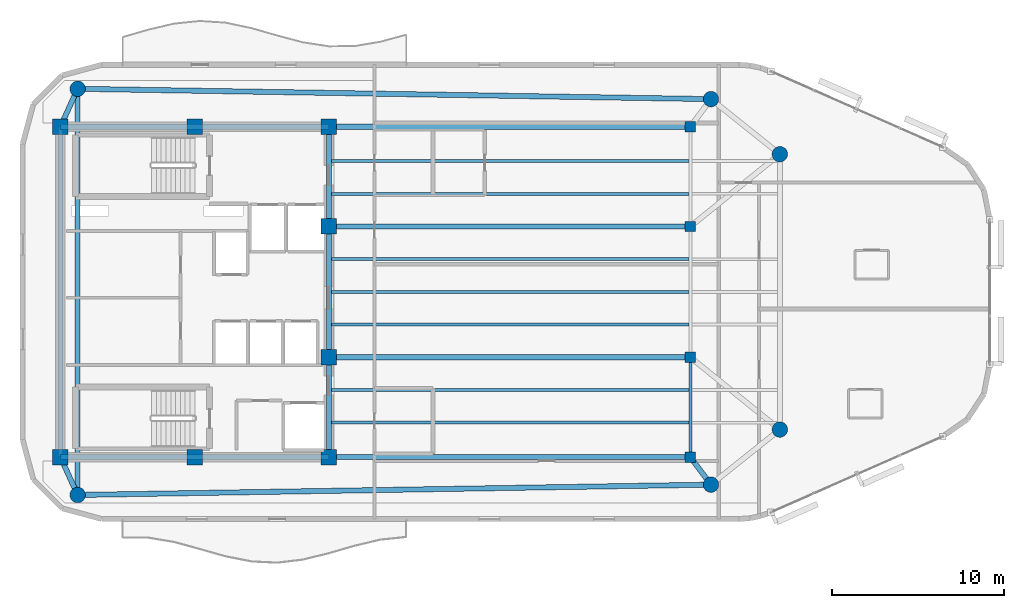
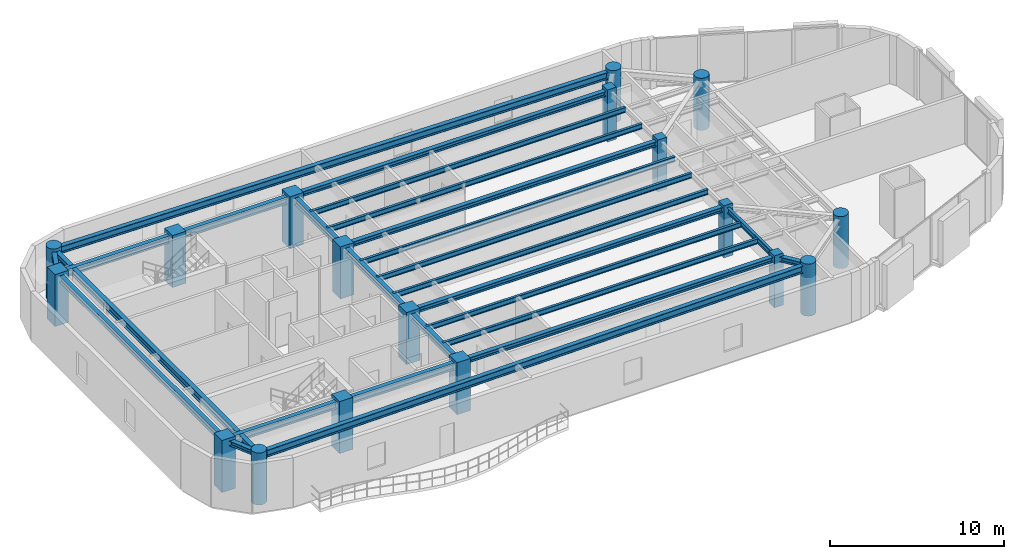
# One storey, part 1 of 12: 24 beams, 18 columns.
"""IFC4 building model written with IfcOpenShell, lengths in metres."""

from ifc_helpers import new_model, si_unit, direction, frame, origin, origin_2d, place, context, subcontext, project, spatial, rectangle, circle, i_section, extrude, material, material_profile, profile_set, type_object, element, save


model = new_model("IFC4")

# Units and contexts
model_context = context("Model", 3, precision=1e-05, world=origin(), true_north=direction((0.0, 1.0)))
body_context = subcontext(model_context, "Body", "Model", "MODEL_VIEW")
ifc_project = project(units=[si_unit("LENGTHUNIT", "METRE"), si_unit("AREAUNIT", "SQUARE_METRE"), si_unit("VOLUMEUNIT", "CUBIC_METRE"), si_unit("PLANEANGLEUNIT", "RADIAN"), si_unit("MASSUNIT", "GRAM", prefix="KILO")], contexts=[model_context])

# Site, building, storey
site_placement = place(None, origin())
site = spatial("IfcSite", under=ifc_project, at=site_placement, CompositionType="ELEMENT")
building_placement = place(site_placement, origin())
building = spatial("IfcBuilding", under=site, at=building_placement, Name="An Khanh Terracotta Commons", CompositionType="ELEMENT")
storey_placement = place(building_placement, frame((0.0, 0.0, 258.800048828125)))
storey = spatial("IfcBuildingStorey", under=building, at=storey_placement, Name="L67", CompositionType="ELEMENT", Elevation=258.800048828125)

# Columns
ifc_material_1 = material(Name="Concrete C50/60", Category="concrete")
ifc_material_profile_1 = material_profile(ifc_material_1, circle(Radius=0.449951171875, at=origin_2d()), Name="CFST900")
ifc_profile_set_1 = profile_set([ifc_material_profile_1], Name="Concrete C50/60")
column_type_1 = type_object("IfcColumnType", Name="COL-CFST900", PredefinedType="COLUMN", material=ifc_profile_set_1)
for number, where, z_axis, x_axis, name in (
    (1, (22.60009765625, 12.199951171875, 0.0), (0.0, 0.0, 1.0), (1.0, 0.0, 0.0), "L67 Perimeter CFST Mega-Column MC-01"),
    (2, (59.39990234375, 12.800048828125, 0.0), (0.0, 0.0, 1.0), (1.0, 0.0, 0.0), "L67 Perimeter CFST Mega-Column MC-02"),
    (3, (63.39990234375, 16.0, 0.0), (0.0, 0.0, 1.0), (1.0, 0.0, 0.0), "L67 Perimeter CFST Mega-Column MC-03"),
    (4, (63.39990234375, 32.0, 0.0), (0.0, 0.0, 1.0), (1.0, 0.0, 0.0), "L67 Perimeter CFST Mega-Column MC-04"),
    (5, (59.39990234375, 35.199951171875, 0.0), (0.0, 0.0, 1.0), (1.0, 0.0, 0.0), "L67 Perimeter CFST Mega-Column MC-05"),
    (6, (22.60009765625, 35.800048828125, 0.0), (0.0, 0.0, 1.0), (1.0, 0.0, 0.0), "L67 Perimeter CFST Mega-Column MC-06"),
):
    element("IfcColumn", number, at=place(storey_placement, frame(where, z_axis=z_axis, x_axis=x_axis)), inside=storey, type_object=column_type_1, Name=name, PredefinedType="COLUMN", context=body_context, shape_type="SweptSolid", body=[
        extrude(circle(Radius=0.449951171875, at=origin_2d()), origin(), (0.0, 0.0, 1.0), 3.64990234375),
    ])
ifc_material_profile_2 = material_profile(ifc_material_1, rectangle(XDim=0.60009765625, YDim=0.60009765625, at=origin_2d()), Name="RC600x600")
ifc_profile_set_2 = profile_set([ifc_material_profile_2], Name="Concrete C50/60")
column_type_2 = type_object("IfcColumnType", Name="COL-RC600x600", PredefinedType="COLUMN", material=ifc_profile_set_2)
for number, where, z_axis, x_axis, name in (
    (7, (58.199951171875, 14.39990234375, 0.0), (0.0, 0.0, 1.0), (1.0, 0.0, 0.0), "L67 Interior Frame Column TC-01"),
    (8, (58.199951171875, 20.199951171875, 0.0), (0.0, 0.0, 1.0), (1.0, 0.0, 0.0), "L67 Interior Frame Column TC-02"),
    (9, (58.199951171875, 27.800048828125, 0.0), (0.0, 0.0, 1.0), (1.0, 0.0, 0.0), "L67 Interior Frame Column TC-03"),
    (10, (58.199951171875, 33.60009765625, 0.0), (0.0, 0.0, 1.0), (1.0, 0.0, 0.0), "L67 Interior Frame Column TC-04"),
):
    element("IfcColumn", number, at=place(storey_placement, frame(where, z_axis=z_axis, x_axis=x_axis)), inside=storey, type_object=column_type_2, Name=name, PredefinedType="COLUMN", context=body_context, shape_type="SweptSolid", body=[
        extrude(rectangle(XDim=0.60009765625, YDim=0.60009765625, at=origin_2d()), origin(), (0.0, 0.0, 1.0), 3.64990234375),
    ])
ifc_material_profile_3 = material_profile(ifc_material_1, rectangle(XDim=0.89990234375, YDim=0.89990234375, at=origin_2d()), Name="RC900x900")
ifc_profile_set_3 = profile_set([ifc_material_profile_3], Name="Concrete C50/60")
column_type_3 = type_object("IfcColumnType", Name="COL-RC900x900", PredefinedType="COLUMN", material=ifc_profile_set_3)
for number, where, z_axis, x_axis, name in (
    (11, (21.60009765625, 14.39990234375, 0.0), (0.0, 0.0, 1.0), (1.0, 0.0, 0.0), "L67 Core Boundary Column CC-01"),
    (12, (29.39990234375, 14.39990234375, 0.0), (0.0, 0.0, 1.0), (1.0, 0.0, 0.0), "L67 Core Boundary Column CC-02"),
    (13, (37.199951171875, 14.39990234375, 0.0), (0.0, 0.0, 1.0), (1.0, 0.0, 0.0), "L67 Core Boundary Column CC-03"),
    (14, (37.199951171875, 20.199951171875, 0.0), (0.0, 0.0, 1.0), (1.0, 0.0, 0.0), "L67 Core Boundary Column CC-04"),
    (15, (37.199951171875, 27.800048828125, 0.0), (0.0, 0.0, 1.0), (1.0, 0.0, 0.0), "L67 Core Boundary Column CC-05"),
    (16, (37.199951171875, 33.60009765625, 0.0), (0.0, 0.0, 1.0), (1.0, 0.0, 0.0), "L67 Core Boundary Column CC-06"),
    (17, (29.39990234375, 33.60009765625, 0.0), (0.0, 0.0, 1.0), (1.0, 0.0, 0.0), "L67 Core Boundary Column CC-07"),
    (18, (21.60009765625, 33.60009765625, 0.0), (0.0, 0.0, 1.0), (1.0, 0.0, 0.0), "L67 Core Boundary Column CC-08"),
):
    element("IfcColumn", number, at=place(storey_placement, frame(where, z_axis=z_axis, x_axis=x_axis)), inside=storey, type_object=column_type_3, Name=name, PredefinedType="COLUMN", context=body_context, shape_type="SweptSolid", body=[
        extrude(rectangle(XDim=0.89990234375, YDim=0.89990234375, at=origin_2d()), origin(), (0.0, 0.0, 1.0), 3.64990234375),
    ])

# Beams
ifc_material_2 = material(Name="Steel S355J2", Category="steel")
ifc_material_profile_4 = material_profile(ifc_material_2, i_section(OverallWidth=0.300048828125, OverallDepth=0.340087890625, WebThickness=0.011962890625, FlangeThickness=0.021484375, FilletRadius=0.027099609375, at=origin_2d()), Name="HEB340")
ifc_profile_set_4 = profile_set([ifc_material_profile_4], Name="Steel S355J2")
beam_type_1 = type_object("IfcBeamType", Name="BM-HEB340", PredefinedType="BEAM", material=ifc_profile_set_4)
for number, where, z_axis, x_axis, name in (
    (19, (37.199951171875, 14.39990234375, 3.280029296875), (1.0, 0.0, 0.0), (0.0, 1.0, 0.0), "L67 East Primary Floor Girder 1"),
    (20, (37.199951171875, 20.199951171875, 3.280029296875), (1.0, 0.0, 0.0), (0.0, 1.0, 0.0), "L67 East Primary Floor Girder 2"),
    (21, (37.199951171875, 27.800048828125, 3.280029296875), (1.0, 0.0, 0.0), (0.0, 1.0, 0.0), "L67 East Primary Floor Girder 3"),
    (22, (37.199951171875, 33.60009765625, 3.280029296875), (1.0, 0.0, 0.0), (0.0, 1.0, 0.0), "L67 East Primary Floor Girder 4"),
):
    element("IfcBeam", number, at=place(storey_placement, frame(where, z_axis=z_axis, x_axis=x_axis)), inside=storey, type_object=beam_type_1, Name=name, PredefinedType="BEAM", context=body_context, shape_type="SweptSolid", body=[
        extrude(i_section(OverallWidth=0.300048828125, OverallDepth=0.340087890625, WebThickness=0.011962890625, FlangeThickness=0.021484375, FilletRadius=0.027099609375, at=origin_2d()), origin(), (0.0, 0.0, 1.0), 21.0),
    ])
beam_1_placement = place(storey_placement, frame((22.60009765625, 12.199951171875, 3.280029296875), z_axis=(-0.413810555983, 0.910363017569, 0.0), x_axis=(-0.910363017569, -0.413810555983, 0.0)))
element("IfcBeam", 23, at=beam_1_placement, inside=storey, type_object=beam_type_1, Name="L67 Mega-Column Tie Girder 1", PredefinedType="BEAM", context=body_context, shape_type="SweptSolid", body=[
    extrude(i_section(OverallWidth=0.300048828125, OverallDepth=0.340087890625, WebThickness=0.011962890625, FlangeThickness=0.021484375, FilletRadius=0.027099609375, at=origin_2d()), origin(), (0.0, 0.0, 1.0), 2.41650390625),
])
beam_2_placement = place(storey_placement, frame((59.39990234375, 12.800048828125, 3.280029296875), z_axis=(-0.600019532502, 0.799985350251, 0.0), x_axis=(-0.799985350251, -0.600019532502, 0.0)))
element("IfcBeam", 24, at=beam_2_placement, inside=storey, type_object=beam_type_1, Name="L67 Mega-Column Tie Girder 2", PredefinedType="BEAM", context=body_context, shape_type="SweptSolid", body=[
    extrude(i_section(OverallWidth=0.300048828125, OverallDepth=0.340087890625, WebThickness=0.011962890625, FlangeThickness=0.021484375, FilletRadius=0.027099609375, at=origin_2d()), origin(), (0.0, 0.0, 1.0), 1.999755859375),
])
beam_3_placement = place(storey_placement, frame((22.60009765625, 35.800048828125, 3.280029296875), z_axis=(-0.413810555983, -0.910363017569, 0.0), x_axis=(0.910363017569, -0.413810555983, 0.0)))
element("IfcBeam", 25, at=beam_3_placement, inside=storey, type_object=beam_type_1, Name="L67 Mega-Column Tie Girder 6", PredefinedType="BEAM", context=body_context, shape_type="SweptSolid", body=[
    extrude(i_section(OverallWidth=0.300048828125, OverallDepth=0.340087890625, WebThickness=0.011962890625, FlangeThickness=0.021484375, FilletRadius=0.027099609375, at=origin_2d()), origin(), (0.0, 0.0, 1.0), 2.41650390625),
])
ifc_material_profile_5 = material_profile(ifc_material_2, i_section(OverallWidth=0.300048828125, OverallDepth=0.449951171875, WebThickness=0.013916015625, FlangeThickness=0.02587890625, FilletRadius=0.027099609375, at=origin_2d()), Name="HEB450")
ifc_profile_set_5 = profile_set([ifc_material_profile_5], Name="Steel S355J2")
beam_type_2 = type_object("IfcBeamType", Name="BM-HEB450", PredefinedType="BEAM", material=ifc_profile_set_5)
beam_4_placement = place(storey_placement, frame((37.199951171875, 14.39990234375, 3.224853515625), z_axis=(0.0, 1.0, 0.0), x_axis=(-1.0, 0.0, 0.0)))
element("IfcBeam", 26, at=beam_4_placement, inside=storey, type_object=beam_type_2, Name="L67 Core East Coupling Girder 1", PredefinedType="BEAM", context=body_context, shape_type="SweptSolid", body=[
    extrude(i_section(OverallWidth=0.300048828125, OverallDepth=0.449951171875, WebThickness=0.013916015625, FlangeThickness=0.02587890625, FilletRadius=0.027099609375, at=origin_2d()), origin(), (0.0, 0.0, 1.0), 5.800048828125),
])
beam_5_placement = place(storey_placement, frame((37.199951171875, 20.199951171875, 3.224853515625), z_axis=(0.0, 1.0, 0.0), x_axis=(-1.0, 0.0, 0.0)))
element("IfcBeam", 27, at=beam_5_placement, inside=storey, type_object=beam_type_2, Name="L67 Core East Coupling Girder 2", PredefinedType="BEAM", context=body_context, shape_type="SweptSolid", body=[
    extrude(i_section(OverallWidth=0.300048828125, OverallDepth=0.449951171875, WebThickness=0.013916015625, FlangeThickness=0.02587890625, FilletRadius=0.027099609375, at=origin_2d()), origin(), (0.0, 0.0, 1.0), 7.60009765625),
])
beam_6_placement = place(storey_placement, frame((37.199951171875, 27.800048828125, 3.224853515625), z_axis=(0.0, 1.0, 0.0), x_axis=(-1.0, 0.0, 0.0)))
element("IfcBeam", 28, at=beam_6_placement, inside=storey, type_object=beam_type_2, Name="L67 Core East Coupling Girder 3", PredefinedType="BEAM", context=body_context, shape_type="SweptSolid", body=[
    extrude(i_section(OverallWidth=0.300048828125, OverallDepth=0.449951171875, WebThickness=0.013916015625, FlangeThickness=0.02587890625, FilletRadius=0.027099609375, at=origin_2d()), origin(), (0.0, 0.0, 1.0), 5.800048828125),
])
beam_7_placement = place(storey_placement, frame((21.60009765625, 14.39990234375, 3.224853515625), z_axis=(0.0, 1.0, 0.0), x_axis=(-1.0, 0.0, 0.0)))
element("IfcBeam", 29, at=beam_7_placement, inside=storey, type_object=beam_type_2, Name="L67 Core West Coupling Girder", PredefinedType="BEAM", context=body_context, shape_type="SweptSolid", body=[
    extrude(i_section(OverallWidth=0.300048828125, OverallDepth=0.449951171875, WebThickness=0.013916015625, FlangeThickness=0.02587890625, FilletRadius=0.027099609375, at=origin_2d()), origin(), (0.0, 0.0, 1.0), 19.2001953125),
])
ifc_material_profile_6 = material_profile(ifc_material_2, i_section(OverallWidth=0.300048828125, OverallDepth=0.5, WebThickness=0.014404296875, FlangeThickness=0.028076171875, FilletRadius=0.027099609375, at=origin_2d()), Name="HEB500")
ifc_profile_set_6 = profile_set([ifc_material_profile_6], Name="Steel S355J2")
beam_type_3 = type_object("IfcBeamType", Name="BM-HEB500", PredefinedType="BEAM", material=ifc_profile_set_6)
for number, where, z_axis, x_axis, name in (
    (30, (21.60009765625, 14.39990234375, 3.199951171875), (1.0, 0.0, 0.0), (0.0, 1.0, 0.0), "L67 Core South Coupling Girder"),
    (31, (21.60009765625, 33.60009765625, 3.199951171875), (1.0, 0.0, 0.0), (0.0, 1.0, 0.0), "L67 Core North Coupling Girder"),
):
    element("IfcBeam", number, at=place(storey_placement, frame(where, z_axis=z_axis, x_axis=x_axis)), inside=storey, type_object=beam_type_3, Name=name, PredefinedType="BEAM", context=body_context, shape_type="SweptSolid", body=[
        extrude(i_section(OverallWidth=0.300048828125, OverallDepth=0.5, WebThickness=0.014404296875, FlangeThickness=0.028076171875, FilletRadius=0.027099609375, at=origin_2d()), origin(), (0.0, 0.0, 1.0), 15.599853515625),
    ])
for number, where, z_axis, x_axis, name in (
    (32, (22.60009765625, 12.199951171875, 3.199951171875), (0.999867065951, 0.01630492031, 0.0), (-0.01630492031, 0.999867065951, 0.0), "L67 Perimeter Ring Spandrel 1"),
    (33, (59.39990234375, 35.199951171875, 3.199951171875), (-0.999867065951, 0.01630492031, 0.0), (-0.01630492031, -0.999867065951, 0.0), "L67 Perimeter Ring Spandrel 5"),
):
    element("IfcBeam", number, at=place(storey_placement, frame(where, z_axis=z_axis, x_axis=x_axis)), inside=storey, type_object=beam_type_3, Name=name, PredefinedType="BEAM", context=body_context, shape_type="SweptSolid", body=[
        extrude(i_section(OverallWidth=0.300048828125, OverallDepth=0.5, WebThickness=0.014404296875, FlangeThickness=0.028076171875, FilletRadius=0.027099609375, at=origin_2d()), origin(), (0.0, 0.0, 1.0), 36.8046875),
    ])
beam_8_placement = place(storey_placement, frame((22.60009765625, 35.800048828125, 3.199951171875), z_axis=(0.0, -1.0, 0.0), x_axis=(1.0, 0.0, 0.0)))
element("IfcBeam", 34, at=beam_8_placement, inside=storey, type_object=beam_type_3, Name="L67 Perimeter Ring Spandrel 6", PredefinedType="BEAM", context=body_context, shape_type="SweptSolid", body=[
    extrude(i_section(OverallWidth=0.300048828125, OverallDepth=0.5, WebThickness=0.014404296875, FlangeThickness=0.028076171875, FilletRadius=0.027099609375, at=origin_2d()), origin(), (0.0, 0.0, 1.0), 23.60009765625),
])
ifc_material_profile_7 = material_profile(ifc_material_2, i_section(OverallWidth=0.169921875, OverallDepth=0.360107421875, WebThickness=0.008056640625, FlangeThickness=0.0126953125, FilletRadius=0.01806640625, at=origin_2d()), Name="IPE360")
ifc_profile_set_7 = profile_set([ifc_material_profile_7], Name="Steel S355J2")
beam_type_4 = type_object("IfcBeamType", Name="BM-IPE360", PredefinedType="JOIST", material=ifc_profile_set_7)
for number, where, z_axis, x_axis, name in (
    (35, (37.199951171875, 16.39990234375, 3.27001953125), (1.0, 0.0, 0.0), (0.0, 1.0, 0.0), "L67 Inboard Composite Joist 1"),
    (36, (37.199951171875, 18.300048828125, 3.27001953125), (1.0, 0.0, 0.0), (0.0, 1.0, 0.0), "L67 Inboard Composite Joist 2"),
    (37, (37.199951171875, 22.10009765625, 3.27001953125), (1.0, 0.0, 0.0), (0.0, 1.0, 0.0), "L67 Inboard Composite Joist 3"),
    (38, (37.199951171875, 24.0, 3.27001953125), (1.0, 0.0, 0.0), (0.0, 1.0, 0.0), "L67 Inboard Composite Joist 4"),
    (39, (37.199951171875, 25.89990234375, 3.27001953125), (1.0, 0.0, 0.0), (0.0, 1.0, 0.0), "L67 Inboard Composite Joist 5"),
    (40, (37.199951171875, 29.699951171875, 3.27001953125), (1.0, 0.0, 0.0), (0.0, 1.0, 0.0), "L67 Inboard Composite Joist 6"),
    (41, (37.199951171875, 31.60009765625, 3.27001953125), (1.0, 0.0, 0.0), (0.0, 1.0, 0.0), "L67 Inboard Composite Joist 7"),
):
    element("IfcBeam", number, at=place(storey_placement, frame(where, z_axis=z_axis, x_axis=x_axis)), inside=storey, type_object=beam_type_4, Name=name, PredefinedType="JOIST", context=body_context, shape_type="SweptSolid", body=[
        extrude(i_section(OverallWidth=0.169921875, OverallDepth=0.360107421875, WebThickness=0.008056640625, FlangeThickness=0.0126953125, FilletRadius=0.01806640625, at=origin_2d()), origin(), (0.0, 0.0, 1.0), 20.91015625),
    ])
ifc_material_profile_8 = material_profile(ifc_material_2, i_section(OverallWidth=0.179931640625, OverallDepth=0.39990234375, WebThickness=0.008544921875, FlangeThickness=0.013427734375, FilletRadius=0.02099609375, at=origin_2d()), Name="IPE400")
ifc_profile_set_8 = profile_set([ifc_material_profile_8], Name="Steel S355J2")
beam_type_5 = type_object("IfcBeamType", Name="BM-IPE400", PredefinedType="JOIST", material=ifc_profile_set_8)
beam_9_placement = place(storey_placement, frame((58.199951171875, 14.550048828125, 3.25), z_axis=(0.0, 1.0, 0.0), x_axis=(-1.0, 0.0, 0.0)))
element("IfcBeam", 42, at=beam_9_placement, inside=storey, type_object=beam_type_5, Name="L67 East Spine Girder 1", PredefinedType="JOIST", context=body_context, shape_type="SweptSolid", body=[
    extrude(i_section(OverallWidth=0.179931640625, OverallDepth=0.39990234375, WebThickness=0.008544921875, FlangeThickness=0.013427734375, FilletRadius=0.02099609375, at=origin_2d()), origin(), (0.0, 0.0, 1.0), 5.5),
])

save(model, "model.ifc")
